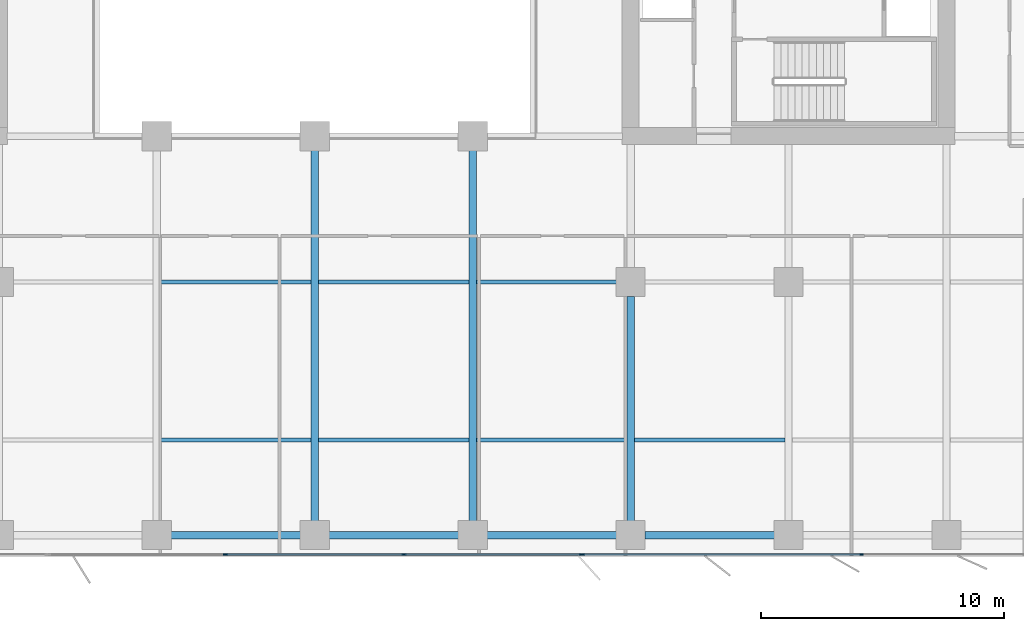
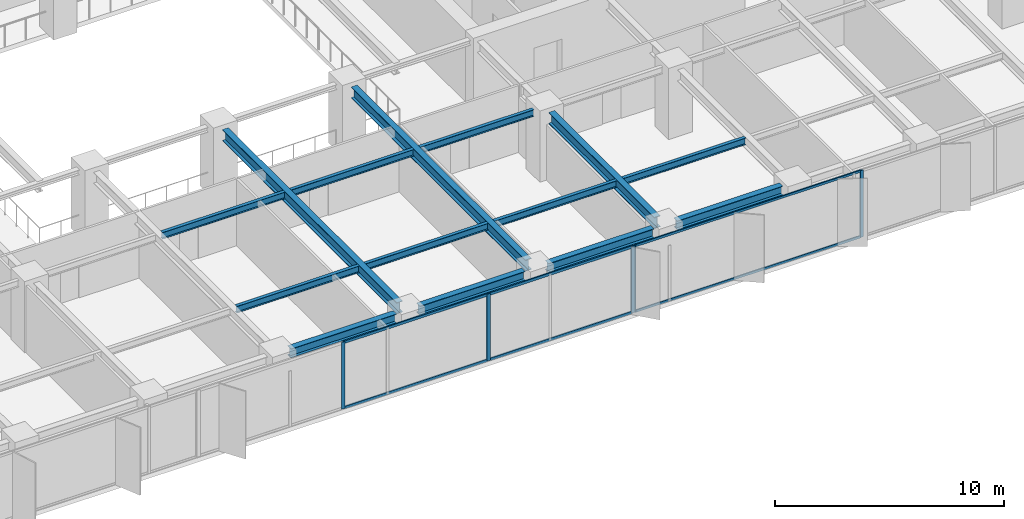
# One storey, part 5 of 20: 14 beams, 11 members, 2 elements without a shape of their own.
"""IFC4 building model written with IfcOpenShell, lengths in metres."""

from ifc_helpers import new_model, si_unit, direction, frame, origin, origin_2d, place, context, subcontext, project, spatial, rectangle, i_section, extrude, material, layer, layer_set, material_profile, profile_set, type_object, element, aggregate, save


model = new_model("IFC4")

# Units and contexts
model_context = context("Model", 3, precision=1e-05, world=origin(), true_north=direction((0.0, 1.0)))
body_context = subcontext(model_context, "Body", "Model", "MODEL_VIEW")
ifc_project = project(units=[si_unit("LENGTHUNIT", "METRE"), si_unit("AREAUNIT", "SQUARE_METRE"), si_unit("VOLUMEUNIT", "CUBIC_METRE"), si_unit("PLANEANGLEUNIT", "RADIAN"), si_unit("MASSUNIT", "GRAM", prefix="KILO")], contexts=[model_context])

# Site, building, storey
site_placement = place(None, origin())
site = spatial("IfcSite", under=ifc_project, at=site_placement, CompositionType="ELEMENT")
building_placement = place(site_placement, origin())
building = spatial("IfcBuilding", under=site, at=building_placement, Name="Putna Gate Headquarters", CompositionType="ELEMENT")
storey_placement = place(building_placement, frame((0.0, 0.0, 131.60009765625)))
storey = spatial("IfcBuildingStorey", under=building, at=storey_placement, Name="L32", CompositionType="ELEMENT", Elevation=131.60009765625)

# Beams
ifc_material_1 = material(Name="Steel S355J2", Category="steel")
ifc_material_profile_1 = material_profile(ifc_material_1, i_section(OverallWidth=0.300048828125, OverallDepth=0.60009765625, WebThickness=0.015380859375, FlangeThickness=0.030029296875, at=origin_2d()), Name="Steel S355J2")
ifc_profile_set_1 = profile_set([ifc_material_profile_1], Name="Steel S355J2")
beam_type_1 = type_object("IfcBeamType", Name="BM-GIRD-Z2-HEB600", PredefinedType="USERDEFINED", material=ifc_profile_set_1)
for number, where, z_axis, x_axis, name in (
    (1, (39.0, 3.16796875, 3.264892578125), (0.0, 1.0, 0.0), (-1.0, 0.0, 0.0), "L32 South Primary Girder X39"),
    (2, (45.5, 3.16796875, 3.264892578125), (0.0, 1.0, 0.0), (-1.0, 0.0, 0.0), "L32 South Primary Girder X45"),
):
    element("IfcBeam", number, at=place(storey_placement, frame(where, z_axis=z_axis, x_axis=x_axis)), inside=storey, type_object=beam_type_1, Name=name, ObjectType="GIRDER", PredefinedType="USERDEFINED", context=body_context, shape_type="SweptSolid", body=[
        extrude(i_section(OverallWidth=0.300048828125, OverallDepth=0.60009765625, WebThickness=0.015380859375, FlangeThickness=0.030029296875, at=origin_2d()), origin(), (0.0, 0.0, 1.0), 15.244140625),
    ])
beam_1_placement = place(storey_placement, frame((52.0, 3.16796875, 3.264892578125), z_axis=(0.0, 1.0, 0.0), x_axis=(-1.0, 0.0, 0.0)))
element("IfcBeam", 3, at=beam_1_placement, inside=storey, type_object=beam_type_1, Name="L32 South Primary Girder X52-1", ObjectType="GIRDER", PredefinedType="USERDEFINED", context=body_context, shape_type="SweptSolid", body=[
    extrude(i_section(OverallWidth=0.300048828125, OverallDepth=0.60009765625, WebThickness=0.015380859375, FlangeThickness=0.030029296875, at=origin_2d()), origin(), (0.0, 0.0, 1.0), 9.244140625),
])
ifc_material_profile_2 = material_profile(ifc_material_1, i_section(OverallWidth=0.169921875, OverallDepth=0.360107421875, WebThickness=0.008056640625, FlangeThickness=0.0126953125, at=origin_2d()), Name="Steel S355J2")
ifc_profile_set_2 = profile_set([ifc_material_profile_2], Name="Steel S355J2")
beam_type_2 = type_object("IfcBeamType", Name="BM-SEC-Z2-IPE360", PredefinedType="BEAM", material=ifc_profile_set_2)
for number, where, z_axis, x_axis, name in (
    (4, (32.654052734375, 6.5, 3.385009765625), (1.0, 0.0, 0.0), (0.0, 1.0, 0.0), "L32 South Secondary Beam 5"),
    (5, (32.654052734375, 13.0, 3.385009765625), (1.0, 0.0, 0.0), (0.0, 1.0, 0.0), "L32 South Secondary Beam 5"),
    (6, (39.154052734375, 6.5, 3.385009765625), (1.0, 0.0, 0.0), (0.0, 1.0, 0.0), "L32 South Secondary Beam 6"),
    (7, (39.154052734375, 13.0, 3.385009765625), (1.0, 0.0, 0.0), (0.0, 1.0, 0.0), "L32 South Secondary Beam 6"),
    (8, (45.654052734375, 6.5, 3.385009765625), (1.0, 0.0, 0.0), (0.0, 1.0, 0.0), "L32 South Secondary Beam 7"),
):
    element("IfcBeam", number, at=place(storey_placement, frame(where, z_axis=z_axis, x_axis=x_axis)), inside=storey, type_object=beam_type_2, Name=name, PredefinedType="BEAM", context=body_context, shape_type="SweptSolid", body=[
        extrude(i_section(OverallWidth=0.169921875, OverallDepth=0.360107421875, WebThickness=0.008056640625, FlangeThickness=0.0126953125, at=origin_2d()), origin(), (0.0, 0.0, 1.0), 6.19189453125),
    ])
beam_2_placement = place(storey_placement, frame((45.654052734375, 13.0, 3.385009765625), z_axis=(1.0, 0.0, 0.0), x_axis=(0.0, 1.0, 0.0)))
element("IfcBeam", 9, at=beam_2_placement, inside=storey, type_object=beam_type_2, Name="L32 South Secondary Beam 7", PredefinedType="BEAM", context=body_context, shape_type="SweptSolid", body=[
    extrude(i_section(OverallWidth=0.169921875, OverallDepth=0.360107421875, WebThickness=0.008056640625, FlangeThickness=0.0126953125, at=origin_2d()), origin(), (0.0, 0.0, 1.0), 5.758056640625),
])
beam_3_placement = place(storey_placement, frame((52.154052734375, 6.5, 3.385009765625), z_axis=(1.0, 0.0, 0.0), x_axis=(0.0, 1.0, 0.0)))
element("IfcBeam", 10, at=beam_3_placement, inside=storey, type_object=beam_type_2, Name="L32 South Secondary Beam 8", PredefinedType="BEAM", context=body_context, shape_type="SweptSolid", body=[
    extrude(i_section(OverallWidth=0.169921875, OverallDepth=0.360107421875, WebThickness=0.008056640625, FlangeThickness=0.0126953125, at=origin_2d()), origin(), (0.0, 0.0, 1.0), 6.19189453125),
])
ifc_material_profile_3 = material_profile(ifc_material_1, i_section(OverallWidth=0.300048828125, OverallDepth=0.489990234375, WebThickness=0.011962890625, FlangeThickness=0.02294921875, at=origin_2d()), Name="Steel S355J2")
ifc_profile_set_3 = profile_set([ifc_material_profile_3], Name="Steel S355J2")
beam_type_3 = type_object("IfcBeamType", Name="BM-SPAN-Z2-HEA500", PredefinedType="SPANDREL", material=ifc_profile_set_3)
for number, where, z_axis, x_axis, name in (
    (11, (33.087890625, 2.580078125, 3.31982421875), (1.0, 0.0, 0.0), (0.0, 1.0, 0.0), "L32 S Perimeter Spandrel 5"),
    (12, (39.587890625, 2.580078125, 3.31982421875), (1.0, 0.0, 0.0), (0.0, 1.0, 0.0), "L32 S Perimeter Spandrel 6"),
    (13, (46.087890625, 2.580078125, 3.31982421875), (1.0, 0.0, 0.0), (0.0, 1.0, 0.0), "L32 S Perimeter Spandrel 7"),
    (14, (52.587890625, 2.580078125, 3.31982421875), (1.0, 0.0, 0.0), (0.0, 1.0, 0.0), "L32 S Perimeter Spandrel 8"),
):
    element("IfcBeam", number, at=place(storey_placement, frame(where, z_axis=z_axis, x_axis=x_axis)), inside=storey, type_object=beam_type_3, Name=name, PredefinedType="SPANDREL", context=body_context, shape_type="SweptSolid", body=[
        extrude(i_section(OverallWidth=0.300048828125, OverallDepth=0.489990234375, WebThickness=0.011962890625, FlangeThickness=0.02294921875, at=origin_2d()), origin(), (0.0, 0.0, 1.0), 5.32421875),
    ])

# Curtain wall, members
ifc_material_2 = material(Name="Anodised bronze aluminium curtain wall", Category="aluminium")
ifc_layer_1 = layer(ifc_material_2, 0.159912109375)
ifc_layer_set_1 = layer_set([ifc_layer_1], Name="Anodised bronze aluminium curtain wall")
curtain_wall_type_1 = type_object("IfcCurtainWallType", Name="CW-SYS-Z2", PredefinedType="USERDEFINED", material=ifc_layer_set_1)
curtain_wall_1_placement = place(storey_placement, origin())
curtain_wall_1 = element("IfcCurtainWall", 15, at=curtain_wall_1_placement, inside=storey, type_object=curtain_wall_type_1, Name="L32 South East Curtain Wall", ObjectType="STICK CURTAIN WALL", PredefinedType="USERDEFINED")
ifc_material_3 = material(Name="Anodised bronze aluminium EN AW-6060", Category="aluminium")
ifc_material_profile_4 = material_profile(ifc_material_3, rectangle(XDim=0.06494140625, YDim=0.159912109375, at=origin_2d()), Name="Anodised bronze aluminium EN AW-6060")
ifc_profile_set_4 = profile_set([ifc_material_profile_4], Name="Anodised bronze aluminium EN AW-6060")
member_type_1 = type_object("IfcMemberType", Name="MULL-CWM-2", PredefinedType="MULLION", material=ifc_profile_set_4)
member_1_placement = place(storey_placement, frame((50.032470703125, 1.780029296875, 0.0), z_axis=(0.0, 0.0, 1.0), x_axis=(0.0, 1.0, 0.0)))
member_1 = element("IfcMember", 16, at=member_1_placement, type_object=member_type_1, Name="CWS-2 mullion 1", PredefinedType="MULLION", context=body_context, shape_type="SweptSolid", body=[
    extrude(rectangle(XDim=0.06494140625, YDim=0.159912109375, at=origin_2d()), origin(), (0.0, 0.0, 1.0), 3.56494140625),
])
member_2_placement = place(storey_placement, frame((61.5, 1.780029296875, 0.0), z_axis=(0.0, 0.0, 1.0), x_axis=(0.0, 1.0, 0.0)))
member_2 = element("IfcMember", 17, at=member_2_placement, type_object=member_type_1, Name="CWS-2 mullion 2", PredefinedType="MULLION", context=body_context, shape_type="SweptSolid", body=[
    extrude(rectangle(XDim=0.06494140625, YDim=0.159912109375, at=origin_2d()), origin(), (0.0, 0.0, 1.0), 3.56494140625),
])

ifc_layer_2 = layer(ifc_material_2, 0.179931640625)
ifc_layer_set_2 = layer_set([ifc_layer_2], Name="Anodised bronze aluminium curtain wall")
curtain_wall_type_2 = type_object("IfcCurtainWallType", Name="CW-SYS-ATR", PredefinedType="USERDEFINED", material=ifc_layer_set_2)
curtain_wall_2_placement = place(storey_placement, origin())
curtain_wall_2 = element("IfcCurtainWall", 18, at=curtain_wall_2_placement, inside=storey, type_object=curtain_wall_type_2, Name="L32 South Atrium Clear Glazing", ObjectType="ATRIUM GLAZING", PredefinedType="USERDEFINED")
ifc_material_profile_5 = material_profile(ifc_material_3, rectangle(XDim=0.070068359375, YDim=0.179931640625, at=origin_2d()), Name="Anodised bronze aluminium EN AW-6060")
ifc_profile_set_5 = profile_set([ifc_material_profile_5], Name="Anodised bronze aluminium EN AW-6060")
member_type_2 = type_object("IfcMemberType", Name="MULL-CWM-AT", PredefinedType="MULLION", material=ifc_profile_set_5)
member_3_placement = place(storey_placement, frame((35.333251953125, 1.780029296875, 0.0), z_axis=(0.0, 0.0, 1.0), x_axis=(0.0, 1.0, 0.0)))
member_3 = element("IfcMember", 19, at=member_3_placement, type_object=member_type_2, Name="CWS-AT mullion 2", PredefinedType="MULLION", context=body_context, shape_type="SweptSolid", body=[
    extrude(rectangle(XDim=0.070068359375, YDim=0.179931640625, at=origin_2d()), origin(), (0.0, 0.0, 1.0), 3.56494140625),
])
member_4_placement = place(storey_placement, frame((42.666748046875, 1.780029296875, 0.0), z_axis=(0.0, 0.0, 1.0), x_axis=(0.0, 1.0, 0.0)))
member_4 = element("IfcMember", 20, at=member_4_placement, type_object=member_type_2, Name="CWS-AT mullion 3", PredefinedType="MULLION", context=body_context, shape_type="SweptSolid", body=[
    extrude(rectangle(XDim=0.070068359375, YDim=0.179931640625, at=origin_2d()), origin(), (0.0, 0.0, 1.0), 3.56494140625),
])
member_5_placement = place(storey_placement, frame((49.965087890625, 1.780029296875, 0.0), z_axis=(0.0, 0.0, 1.0), x_axis=(0.0, 1.0, 0.0)))
member_5 = element("IfcMember", 21, at=member_5_placement, type_object=member_type_2, Name="CWS-AT mullion 4", PredefinedType="MULLION", context=body_context, shape_type="SweptSolid", body=[
    extrude(rectangle(XDim=0.070068359375, YDim=0.179931640625, at=origin_2d()), origin(), (0.0, 0.0, 1.0), 3.56494140625),
])

# Member
ifc_material_profile_6 = material_profile(ifc_material_3, rectangle(XDim=0.06494140625, YDim=0.1201171875, at=origin_2d()), Name="Anodised bronze aluminium EN AW-6060")
ifc_profile_set_6 = profile_set([ifc_material_profile_6], Name="Anodised bronze aluminium EN AW-6060")
member_type_3 = type_object("IfcMemberType", Name="TRAN-CWT-2", PredefinedType="USERDEFINED", material=ifc_profile_set_6)
member_6_placement = place(storey_placement, frame((50.06494140625, 1.780029296875, 0.032470703125), z_axis=(1.0, 0.0, 0.0), x_axis=(0.0, 1.0, 0.0)))
member_6 = element("IfcMember", 22, at=member_6_placement, type_object=member_type_3, Name="CWS-2 transom 1.1", ObjectType="TRANSOM", PredefinedType="USERDEFINED", context=body_context, shape_type="SweptSolid", body=[
    extrude(rectangle(XDim=0.06494140625, YDim=0.1201171875, at=origin_2d()), origin(), (0.0, 0.0, 1.0), 11.402587890625),
])

member_7_placement = place(storey_placement, frame((50.06494140625, 1.780029296875, 3.532470703125), z_axis=(1.0, 0.0, 0.0), x_axis=(0.0, 1.0, 0.0)))
member_7 = element("IfcMember", 23, at=member_7_placement, type_object=member_type_3, Name="CWS-2 transom 1.2", ObjectType="TRANSOM", PredefinedType="USERDEFINED", context=body_context, shape_type="SweptSolid", body=[
    extrude(rectangle(XDim=0.06494140625, YDim=0.1201171875, at=origin_2d()), origin(), (0.0, 0.0, 1.0), 11.402587890625),
])

aggregate(curtain_wall_1, [member_1, member_2, member_6, member_7])

ifc_material_profile_7 = material_profile(ifc_material_3, rectangle(XDim=0.070068359375, YDim=0.139892578125, at=origin_2d()), Name="Anodised bronze aluminium EN AW-6060")
ifc_profile_set_7 = profile_set([ifc_material_profile_7], Name="Anodised bronze aluminium EN AW-6060")
member_type_4 = type_object("IfcMemberType", Name="TRAN-CWT-AT", PredefinedType="USERDEFINED", material=ifc_profile_set_7)
member_8_placement = place(storey_placement, frame((35.368408203125, 1.780029296875, 0.034912109375), z_axis=(1.0, 0.0, 0.0), x_axis=(0.0, 1.0, 0.0)))
member_8 = element("IfcMember", 24, at=member_8_placement, type_object=member_type_4, Name="CWS-AT transom 2.1", ObjectType="TRANSOM", PredefinedType="USERDEFINED", context=body_context, shape_type="SweptSolid", body=[
    extrude(rectangle(XDim=0.070068359375, YDim=0.139892578125, at=origin_2d()), origin(), (0.0, 0.0, 1.0), 7.26318359375),
])

member_9_placement = place(storey_placement, frame((35.368408203125, 1.780029296875, 3.52978515625), z_axis=(1.0, 0.0, 0.0), x_axis=(0.0, 1.0, 0.0)))
member_9 = element("IfcMember", 25, at=member_9_placement, type_object=member_type_4, Name="CWS-AT transom 2.2", ObjectType="TRANSOM", PredefinedType="USERDEFINED", context=body_context, shape_type="SweptSolid", body=[
    extrude(rectangle(XDim=0.070068359375, YDim=0.139892578125, at=origin_2d()), origin(), (0.0, 0.0, 1.0), 7.26318359375),
])

member_10_placement = place(storey_placement, frame((42.70166015625, 1.780029296875, 0.034912109375), z_axis=(1.0, 0.0, 0.0), x_axis=(0.0, 1.0, 0.0)))
member_10 = element("IfcMember", 26, at=member_10_placement, type_object=member_type_4, Name="CWS-AT transom 3.1", ObjectType="TRANSOM", PredefinedType="USERDEFINED", context=body_context, shape_type="SweptSolid", body=[
    extrude(rectangle(XDim=0.070068359375, YDim=0.139892578125, at=origin_2d()), origin(), (0.0, 0.0, 1.0), 7.228271484375),
])

member_11_placement = place(storey_placement, frame((42.70166015625, 1.780029296875, 3.52978515625), z_axis=(1.0, 0.0, 0.0), x_axis=(0.0, 1.0, 0.0)))
member_11 = element("IfcMember", 27, at=member_11_placement, type_object=member_type_4, Name="CWS-AT transom 3.2", ObjectType="TRANSOM", PredefinedType="USERDEFINED", context=body_context, shape_type="SweptSolid", body=[
    extrude(rectangle(XDim=0.070068359375, YDim=0.139892578125, at=origin_2d()), origin(), (0.0, 0.0, 1.0), 7.228271484375),
])

aggregate(curtain_wall_2, [member_3, member_4, member_5, member_8, member_9, member_10, member_11])

save(model, "model.ifc")
